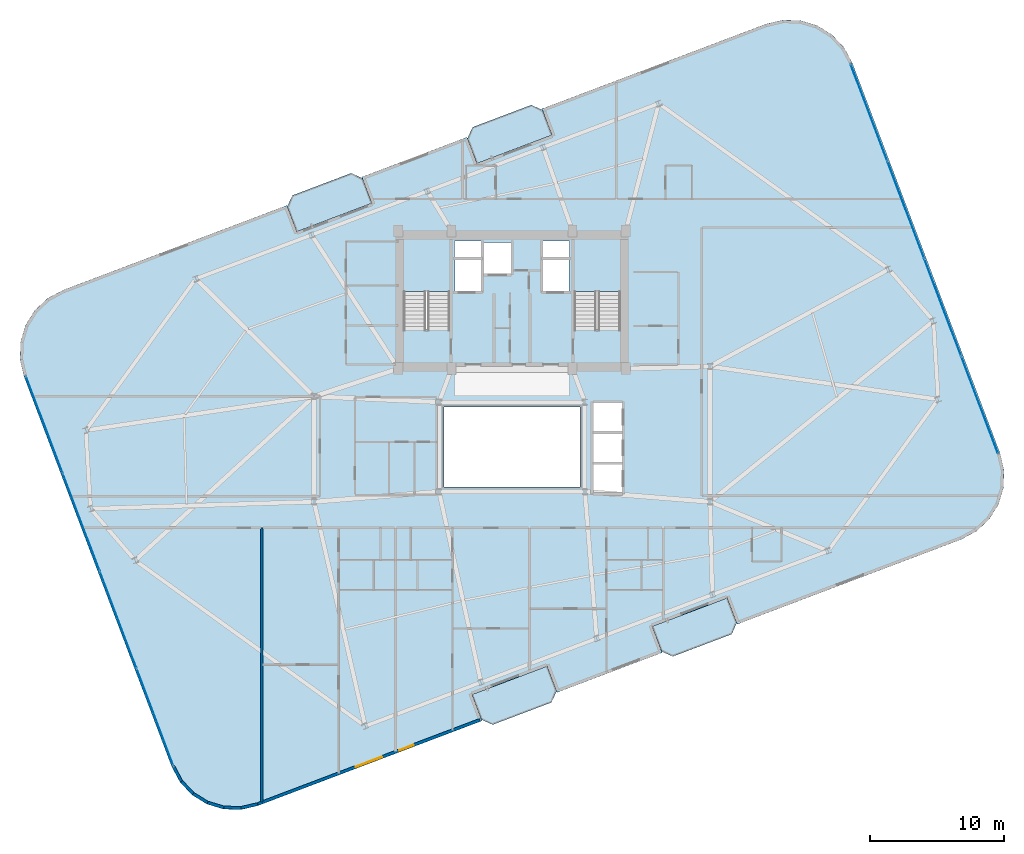
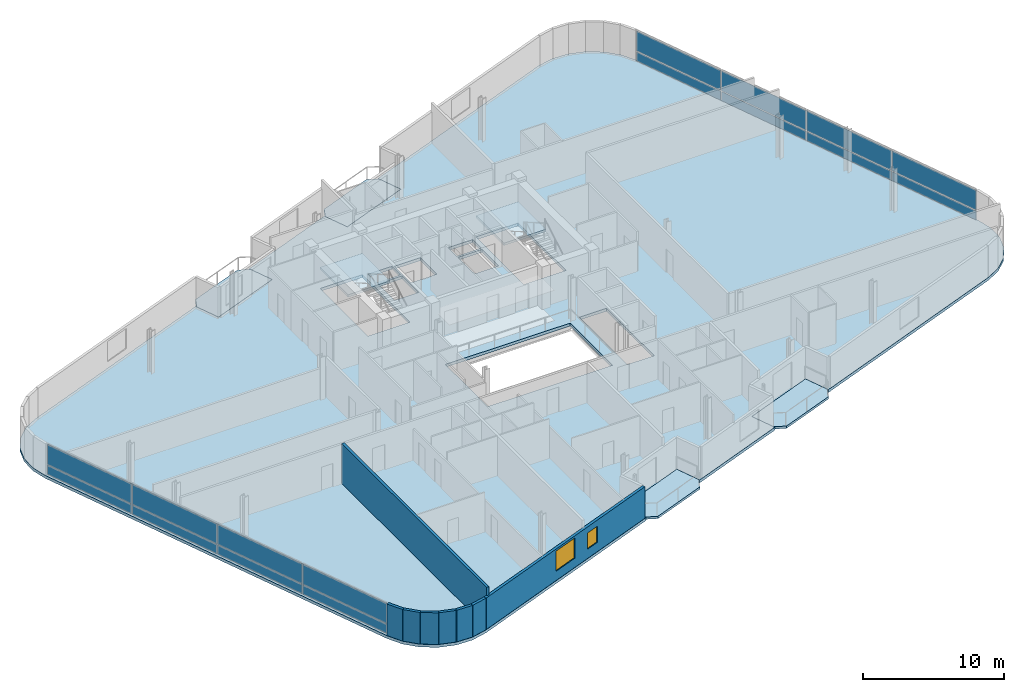
# One storey, part 13 of 20: 16 plates, 8 walls, 7 slabs, 2 windows, 2 openings, 4 elements without a shape of their own.
"""IFC4 building model written with IfcOpenShell, lengths in metres."""

from ifc_helpers import new_model, si_unit, direction, frame, frame_2d, origin, origin_2d, place, context, subcontext, project, spatial, polyline, rectangle, outline, extrude, source, transform, mapped, material, layer, layer_set, type_object, element, fill, aggregate, save


model = new_model("IFC4")

# Units and contexts
model_context = context("Model", 3, precision=1e-05, world=origin(), true_north=direction((0.0, 1.0)))
body_context = subcontext(model_context, "Body", "Model", "MODEL_VIEW")
ifc_project = project(units=[si_unit("LENGTHUNIT", "METRE"), si_unit("AREAUNIT", "SQUARE_METRE"), si_unit("VOLUMEUNIT", "CUBIC_METRE"), si_unit("PLANEANGLEUNIT", "RADIAN"), si_unit("MASSUNIT", "GRAM", prefix="KILO")], contexts=[model_context])

# Site, building, storey
site_placement = place(None, origin())
site = spatial("IfcSite", under=ifc_project, at=site_placement, CompositionType="ELEMENT")
building_placement = place(site_placement, origin())
building = spatial("IfcBuilding", under=site, at=building_placement, Name="Varnelok Gate Tower", CompositionType="ELEMENT")
storey_placement = place(building_placement, frame((0.0, 0.0, 220.10009765625)))
storey = spatial("IfcBuildingStorey", under=building, at=storey_placement, Name="L56", CompositionType="ELEMENT", Elevation=220.10009765625)

# Slabs
ifc_material_1 = material(Name="Concrete C45/55", Category="concrete")
ifc_layer_1 = layer(ifc_material_1, 0.199951171875)
ifc_layer_set_1 = layer_set([ifc_layer_1], Name="Concrete C45/55")
slab_type_1 = type_object("IfcSlabType", Name="SLB-BALC-200", PredefinedType="FLOOR", material=ifc_layer_set_1)
slab_1_placement = place(storey_placement, frame((0.0, 0.0, -0.2001953125)))
element("IfcSlab", 1, at=slab_1_placement, inside=storey, type_object=slab_type_1, Name="L56 South Hollow Balcony 1", PredefinedType="FLOOR", context=body_context, shape_type="SweptSolid", body=[
    extrude(outline(polyline([(36.9189453125, 2.5166015625), (37.757080078125, 2.138916015625), (42.152587890625, 3.802978515625), (42.530517578125, 4.640869140625), (41.822265625, 6.51123046875), (36.2109375, 4.386962890625), (36.9189453125, 2.5166015625)])), origin(), (0.0, 0.0, 1.0), 0.2001953125),
])
slab_2_placement = place(storey_placement, frame((0.0, 0.0, -0.2001953125)))
element("IfcSlab", 2, at=slab_2_placement, inside=storey, type_object=slab_type_1, Name="L56 South Hollow Balcony 2", PredefinedType="FLOOR", context=body_context, shape_type="SweptSolid", body=[
    extrude(outline(polyline([(50.38623046875, 7.614990234375), (51.22412109375, 7.2373046875), (55.619873046875, 8.9013671875), (55.99755859375, 9.739501953125), (55.289306640625, 11.60986328125), (49.677978515625, 9.485595703125), (50.38623046875, 7.614990234375)])), origin(), (0.0, 0.0, 1.0), 0.2001953125),
])
slab_3_placement = place(storey_placement, frame((0.0, 0.0, -0.2001953125)))
element("IfcSlab", 3, at=slab_3_placement, inside=storey, type_object=slab_type_1, Name="L56 North Hollow Balcony 1", PredefinedType="FLOOR", context=body_context, shape_type="SweptSolid", body=[
    extrude(outline(polyline([(23.110595703125, 38.990234375), (28.721923828125, 41.114501953125), (28.013916015625, 42.985107421875), (27.17578125, 43.36279296875), (22.7802734375, 41.698486328125), (22.402587890625, 40.860595703125), (23.110595703125, 38.990234375)])), origin(), (0.0, 0.0, 1.0), 0.2001953125),
])
slab_4_placement = place(storey_placement, frame((0.0, 0.0, -0.2001953125)))
element("IfcSlab", 4, at=slab_4_placement, inside=storey, type_object=slab_type_1, Name="L56 North Hollow Balcony 2", PredefinedType="FLOOR", context=body_context, shape_type="SweptSolid", body=[
    extrude(outline(polyline([(36.577880859375, 44.088623046875), (42.189208984375, 46.212890625), (41.48095703125, 48.08349609375), (40.642822265625, 48.461181640625), (36.247314453125, 46.797119140625), (35.86962890625, 45.958984375), (36.577880859375, 44.088623046875)])), origin(), (0.0, 0.0, 1.0), 0.2001953125),
])

# Stair, slab
ifc_material_2 = material(Name="Concrete C50/60", Category="concrete")
stair_type = type_object("IfcStairType", Name="STR-CORE-1650", PredefinedType="HALF_TURN_STAIR", material=ifc_material_2)
stair_1_placement = place(storey_placement, origin())
stair_1 = element("IfcStair", 5, at=stair_1_placement, inside=storey, type_object=stair_type, Name="L56 Exit Stair ST-1", PredefinedType="HALF_TURN_STAIR")
ifc_layer_2 = layer(ifc_material_1, 0.199951171875)
ifc_layer_set_2 = layer_set([ifc_layer_2], Name="Concrete C45/55")
slab_type_2 = type_object("IfcSlabType", Name="SLB-LAND-200", PredefinedType="LANDING", material=ifc_layer_set_2)
slab_5_placement = place(storey_placement, frame((0.0, 0.0, 1.64990234375)))
slab_5 = element("IfcSlab", 6, at=slab_5_placement, type_object=slab_type_2, Name="ST-1 landing 1", PredefinedType="LANDING", context=body_context, shape_type="SweptSolid", body=[
    extrude(outline(polyline([(34.550048828125, 34.5), (34.550048828125, 38.449951171875), (31.10009765625, 38.449951171875), (31.10009765625, 34.5), (34.550048828125, 34.5)])), origin(), (0.0, 0.0, 1.0), 0.199951171875),
])
aggregate(stair_1, [slab_5])

stair_2_placement = place(storey_placement, origin())
stair_2 = element("IfcStair", 7, at=stair_2_placement, inside=storey, type_object=stair_type, Name="L56 Exit Stair ST-2", PredefinedType="HALF_TURN_STAIR")
slab_6_placement = place(storey_placement, frame((0.0, 0.0, 1.64990234375)))
slab_6 = element("IfcSlab", 8, at=slab_6_placement, type_object=slab_type_2, Name="ST-2 landing 1", PredefinedType="LANDING", context=body_context, shape_type="SweptSolid", body=[
    extrude(outline(polyline([(47.300048828125, 34.5), (47.300048828125, 38.449951171875), (43.85009765625, 38.449951171875), (43.85009765625, 34.5), (47.300048828125, 34.5)])), origin(), (0.0, 0.0, 1.0), 0.199951171875),
])
aggregate(stair_2, [slab_6])

# Slab
ifc_layer_3 = layer(ifc_material_2, 0.25)
ifc_layer_set_3 = layer_set([ifc_layer_3], Name="Concrete C50/60")
slab_type_3 = type_object("IfcSlabType", Name="SLB-TYP-250", PredefinedType="FLOOR", material=ifc_layer_set_3)
slab_7_placement = place(storey_placement, frame((0.0, 0.0, -0.25)))
element("IfcSlab", 9, at=slab_7_placement, inside=storey, type_object=slab_type_3, Name="L56 Structural Floor Slab", PredefinedType="FLOOR", context=body_context, shape_type="SweptSolid", body=[
    extrude(outline(polyline([(13.767578125, -1.0087890625), (14.385009765625, -2.158935546875), (15.279296875, -3.10986328125), (16.388916015625, -3.796875), (17.638671875, -4.17333984375), (18.943359375, -4.213623046875), (20.214111328125, -3.914794921875), (29.8779296875, -0.256103515625), (36.954345703125, 2.423095703125), (36.2109375, 4.386962890625), (41.822265625, 6.51123046875), (42.56591796875, 4.54736328125), (50.421630859375, 7.521484375), (49.677978515625, 9.485595703125), (55.289306640625, 11.60986328125), (56.032958984375, 9.64599609375), (63.109619140625, 12.324951171875), (72.7734375, 15.983642578125), (73.92333984375, 16.60107421875), (74.874267578125, 17.495361328125), (75.561279296875, 18.60498046875), (75.93798828125, 19.854736328125), (75.97802734375, 21.159423828125), (75.67919921875, 22.429931640625), (64.632568359375, 51.60888671875), (64.014892578125, 52.7587890625), (63.120849609375, 53.709716796875), (62.010986328125, 54.39697265625), (60.76123046875, 54.7734375), (59.45654296875, 54.813720703125), (58.18603515625, 54.5146484375), (48.522216796875, 50.856201171875), (41.445556640625, 48.177001953125), (42.189208984375, 46.212890625), (36.577880859375, 44.088623046875), (35.834228515625, 46.052490234375), (27.978515625, 43.07861328125), (28.721923828125, 41.114501953125), (23.110595703125, 38.990234375), (22.3671875, 40.9541015625), (15.29052734375, 38.275146484375), (5.626708984375, 34.616455078125), (4.4765625, 33.998779296875), (3.525634765625, 33.104736328125), (2.838623046875, 31.9951171875), (2.462158203125, 30.7451171875), (2.422119140625, 29.440673828125), (2.720703125, 28.169921875), (13.767578125, -1.0087890625)]), holes=[polyline([(34.550048828125, 31.679931640625), (34.550048828125, 38.449951171875), (31.10009765625, 38.449951171875), (31.10009765625, 31.679931640625), (34.550048828125, 31.679931640625)]), polyline([(47.300048828125, 31.679931640625), (47.300048828125, 38.449951171875), (43.85009765625, 38.449951171875), (43.85009765625, 31.679931640625), (47.300048828125, 31.679931640625)]), polyline([(34.949951171875, 34.550048828125), (36.89990234375, 34.550048828125), (36.89990234375, 36.89990234375), (34.949951171875, 36.89990234375), (34.949951171875, 34.550048828125)]), polyline([(41.5, 34.550048828125), (43.449951171875, 34.550048828125), (43.449951171875, 36.89990234375), (41.5, 36.89990234375), (41.5, 34.550048828125)]), polyline([(37.050048828125, 35.85009765625), (39.14990234375, 35.85009765625), (39.14990234375, 38.199951171875), (37.050048828125, 38.199951171875), (37.050048828125, 35.85009765625)]), polyline([(45.25, 19.449951171875), (47.449951171875, 19.449951171875), (47.449951171875, 26.199951171875), (45.25, 26.199951171875), (45.25, 19.449951171875)]), polyline([(34.919921875, 37.080078125), (36.89990234375, 37.080078125), (36.89990234375, 38.280029296875), (34.919921875, 38.280029296875), (34.919921875, 37.080078125)]), polyline([(41.5, 37.080078125), (43.47998046875, 37.080078125), (43.47998046875, 38.280029296875), (41.5, 38.280029296875), (41.5, 37.080078125)]), polyline([(34.10009765625, 19.89990234375), (44.300048828125, 19.89990234375), (44.300048828125, 25.89990234375), (34.10009765625, 25.89990234375), (34.10009765625, 19.89990234375)])]), origin(), (0.0, 0.0, 1.0), 0.25),
])

# Curtain wall, plates
ifc_material_3 = material(Name="Anodized Aluminum Alloy 6063-T6", Category="aluminium")
ifc_layer_4 = layer(ifc_material_3, 0.179931640625)
ifc_layer_set_4 = layer_set([ifc_layer_4], Name="Anodized Aluminum Alloy 6063-T6")
curtain_wall_type = type_object("IfcCurtainWallType", Name="CW4-RESIDENCE-VISION", PredefinedType="USERDEFINED", material=ifc_layer_set_4)
curtain_wall_1_placement = place(storey_placement, origin())
curtain_wall_1 = element("IfcCurtainWall", 10, at=curtain_wall_1_placement, inside=storey, type_object=curtain_wall_type, Name="L56 West End Vision Curtain Wall", ObjectType="UNITISED CURTAIN WALL", PredefinedType="USERDEFINED")
ifc_material_4 = material(Name="Low-E Laminated Double Glazing IGU", Category="glass")
ifc_layer_5 = layer(ifc_material_4, 0.035888671875)
ifc_layer_set_5 = layer_set([ifc_layer_5], Name="Low-E Laminated Double Glazing IGU")
plate_type = type_object("IfcPlateType", Name="CW-PNL-IGU36", PredefinedType="CURTAIN_PANEL", material=ifc_layer_set_5)
shared_shape_1 = source(origin(), body_context, "Body", "SweptSolid", [
    extrude(rectangle(XDim=7.6875, YDim=0.035888671875, at=origin_2d()), origin(), (0.0, 0.0, 1.0), 0.78759765625),
])
plate_1_placement = place(storey_placement, frame((12.510986328125, 2.70556640625, 0.074951171875), z_axis=(0.0, 0.0, 1.0), x_axis=(-0.354063042079, 0.935221557832, 0.0)))
plate_1 = element("IfcPlate", 11, at=plate_1_placement, type_object=plate_type, Name="CW4 panel 1.1", PredefinedType="CURTAIN_PANEL", context=body_context, shape_type="MappedRepresentation", body=[
    mapped(shared_shape_1, transform((0.0, 0.0, 0.0), scale=1.0)),
])
plate_2_placement = place(storey_placement, frame((4.2392578125, 24.5546875, 0.074951171875), z_axis=(0.0, 0.0, 1.0), x_axis=(-0.354063042079, 0.935221557832, 0.0)))
plate_2 = element("IfcPlate", 12, at=plate_2_placement, type_object=plate_type, Name="CW4 panel 4.1", PredefinedType="CURTAIN_PANEL", context=body_context, shape_type="MappedRepresentation", body=[
    mapped(shared_shape_1, transform((0.0, 0.0, 0.0), scale=1.0)),
])

curtain_wall_2_placement = place(storey_placement, origin())
curtain_wall_2 = element("IfcCurtainWall", 13, at=curtain_wall_2_placement, inside=storey, type_object=curtain_wall_type, Name="L56 East End Vision Curtain Wall", ObjectType="UNITISED CURTAIN WALL", PredefinedType="USERDEFINED")
plate_3_placement = place(storey_placement, frame((65.888916015625, 47.89453125, 0.074951171875), z_axis=(0.0, 0.0, 1.0), x_axis=(0.354063042079, -0.935221557832, 0.0)))
plate_3 = element("IfcPlate", 14, at=plate_3_placement, type_object=plate_type, Name="CW4 panel 1.1", PredefinedType="CURTAIN_PANEL", context=body_context, shape_type="MappedRepresentation", body=[
    mapped(shared_shape_1, transform((0.0, 0.0, 0.0), scale=1.0)),
])
plate_4_placement = place(storey_placement, frame((74.160888671875, 26.04541015625, 0.074951171875), z_axis=(0.0, 0.0, 1.0), x_axis=(0.354063042079, -0.935221557832, 0.0)))
plate_4 = element("IfcPlate", 15, at=plate_4_placement, type_object=plate_type, Name="CW4 panel 4.1", PredefinedType="CURTAIN_PANEL", context=body_context, shape_type="MappedRepresentation", body=[
    mapped(shared_shape_1, transform((0.0, 0.0, 0.0), scale=1.0)),
])

# Plate
shared_shape_2 = source(origin(), body_context, "Body", "SweptSolid", [
    extrude(rectangle(XDim=7.6875, YDim=0.035888671875, at=origin_2d()), origin(), (0.0, 0.0, 1.0), 1.717529296875),
])
plate_5_placement = place(storey_placement, frame((12.510986328125, 2.70556640625, 0.9375), z_axis=(0.0, 0.0, 1.0), x_axis=(-0.354063042079, 0.935221557832, 0.0)))
plate_5 = element("IfcPlate", 16, at=plate_5_placement, type_object=plate_type, Name="CW4 panel 1.2", PredefinedType="CURTAIN_PANEL", context=body_context, shape_type="MappedRepresentation", body=[
    mapped(shared_shape_2, transform((0.0, 0.0, 0.0), scale=1.0)),
])

plate_6_placement = place(storey_placement, frame((4.2392578125, 24.5546875, 0.9375), z_axis=(0.0, 0.0, 1.0), x_axis=(-0.354063042079, 0.935221557832, 0.0)))
plate_6 = element("IfcPlate", 17, at=plate_6_placement, type_object=plate_type, Name="CW4 panel 4.2", PredefinedType="CURTAIN_PANEL", context=body_context, shape_type="MappedRepresentation", body=[
    mapped(shared_shape_2, transform((0.0, 0.0, 0.0), scale=1.0)),
])

plate_7_placement = place(storey_placement, frame((65.888916015625, 47.89453125, 0.9375), z_axis=(0.0, 0.0, 1.0), x_axis=(0.354063042079, -0.935221557832, 0.0)))
plate_7 = element("IfcPlate", 18, at=plate_7_placement, type_object=plate_type, Name="CW4 panel 1.2", PredefinedType="CURTAIN_PANEL", context=body_context, shape_type="MappedRepresentation", body=[
    mapped(shared_shape_2, transform((0.0, 0.0, 0.0), scale=1.0)),
])

plate_8_placement = place(storey_placement, frame((74.160888671875, 26.04541015625, 0.9375), z_axis=(0.0, 0.0, 1.0), x_axis=(0.354063042079, -0.935221557832, 0.0)))
plate_8 = element("IfcPlate", 19, at=plate_8_placement, type_object=plate_type, Name="CW4 panel 4.2", PredefinedType="CURTAIN_PANEL", context=body_context, shape_type="MappedRepresentation", body=[
    mapped(shared_shape_2, transform((0.0, 0.0, 0.0), scale=1.0)),
])

shared_shape_3 = source(origin(), body_context, "Body", "SweptSolid", [
    extrude(rectangle(XDim=7.72509765625, YDim=0.035888671875, at=origin_2d()), origin(), (0.0, 0.0, 1.0), 0.78759765625),
])
plate_9_placement = place(storey_placement, frame((9.755859375, 9.982666015625, 0.074951171875), z_axis=(0.0, 0.0, 1.0), x_axis=(-0.354063042079, 0.935221557832, 0.0)))
plate_9 = element("IfcPlate", 20, at=plate_9_placement, type_object=plate_type, Name="CW4 panel 2.1", PredefinedType="CURTAIN_PANEL", context=body_context, shape_type="MappedRepresentation", body=[
    mapped(shared_shape_3, transform((0.0, 0.0, 0.0), scale=1.0)),
])

plate_10_placement = place(storey_placement, frame((6.994140625, 17.277587890625, 0.074951171875), z_axis=(0.0, 0.0, 1.0), x_axis=(-0.354063042079, 0.935221557832, 0.0)))
plate_10 = element("IfcPlate", 21, at=plate_10_placement, type_object=plate_type, Name="CW4 panel 3.1", PredefinedType="CURTAIN_PANEL", context=body_context, shape_type="MappedRepresentation", body=[
    mapped(shared_shape_3, transform((0.0, 0.0, 0.0), scale=1.0)),
])

plate_11_placement = place(storey_placement, frame((68.64404296875, 40.6171875, 0.074951171875), z_axis=(0.0, 0.0, 1.0), x_axis=(0.354063042079, -0.935221557832, 0.0)))
plate_11 = element("IfcPlate", 22, at=plate_11_placement, type_object=plate_type, Name="CW4 panel 2.1", PredefinedType="CURTAIN_PANEL", context=body_context, shape_type="MappedRepresentation", body=[
    mapped(shared_shape_3, transform((0.0, 0.0, 0.0), scale=1.0)),
])

plate_12_placement = place(storey_placement, frame((71.40576171875, 33.322509765625, 0.074951171875), z_axis=(0.0, 0.0, 1.0), x_axis=(0.354063042079, -0.935221557832, 0.0)))
plate_12 = element("IfcPlate", 23, at=plate_12_placement, type_object=plate_type, Name="CW4 panel 3.1", PredefinedType="CURTAIN_PANEL", context=body_context, shape_type="MappedRepresentation", body=[
    mapped(shared_shape_3, transform((0.0, 0.0, 0.0), scale=1.0)),
])

shared_shape_4 = source(origin(), body_context, "Body", "SweptSolid", [
    extrude(rectangle(XDim=7.72509765625, YDim=0.035888671875, at=origin_2d()), origin(), (0.0, 0.0, 1.0), 1.717529296875),
])
plate_13_placement = place(storey_placement, frame((9.755859375, 9.982666015625, 0.9375), z_axis=(0.0, 0.0, 1.0), x_axis=(-0.354063042079, 0.935221557832, 0.0)))
plate_13 = element("IfcPlate", 24, at=plate_13_placement, type_object=plate_type, Name="CW4 panel 2.2", PredefinedType="CURTAIN_PANEL", context=body_context, shape_type="MappedRepresentation", body=[
    mapped(shared_shape_4, transform((0.0, 0.0, 0.0), scale=1.0)),
])

plate_14_placement = place(storey_placement, frame((6.994140625, 17.277587890625, 0.9375), z_axis=(0.0, 0.0, 1.0), x_axis=(-0.354063042079, 0.935221557832, 0.0)))
plate_14 = element("IfcPlate", 25, at=plate_14_placement, type_object=plate_type, Name="CW4 panel 3.2", PredefinedType="CURTAIN_PANEL", context=body_context, shape_type="MappedRepresentation", body=[
    mapped(shared_shape_4, transform((0.0, 0.0, 0.0), scale=1.0)),
])

aggregate(curtain_wall_1, [plate_1, plate_5, plate_9, plate_13, plate_10, plate_14, plate_2, plate_6])

plate_15_placement = place(storey_placement, frame((68.64404296875, 40.6171875, 0.9375), z_axis=(0.0, 0.0, 1.0), x_axis=(0.354063042079, -0.935221557832, 0.0)))
plate_15 = element("IfcPlate", 26, at=plate_15_placement, type_object=plate_type, Name="CW4 panel 2.2", PredefinedType="CURTAIN_PANEL", context=body_context, shape_type="MappedRepresentation", body=[
    mapped(shared_shape_4, transform((0.0, 0.0, 0.0), scale=1.0)),
])

plate_16_placement = place(storey_placement, frame((71.40576171875, 33.322509765625, 0.9375), z_axis=(0.0, 0.0, 1.0), x_axis=(0.354063042079, -0.935221557832, 0.0)))
plate_16 = element("IfcPlate", 27, at=plate_16_placement, type_object=plate_type, Name="CW4 panel 3.2", PredefinedType="CURTAIN_PANEL", context=body_context, shape_type="MappedRepresentation", body=[
    mapped(shared_shape_4, transform((0.0, 0.0, 0.0), scale=1.0)),
])

aggregate(curtain_wall_2, [plate_3, plate_7, plate_11, plate_15, plate_12, plate_16, plate_4, plate_8])

# Walls
ifc_layer_6 = layer(ifc_material_1, 0.219970703125)
ifc_layer_set_6 = layer_set([ifc_layer_6], Name="Concrete C45/55")
wall_type_1 = type_object("IfcWallType", Name="EW-BALC-220", PredefinedType="SOLIDWALL", material=ifc_layer_set_6)
wall_1_placement = place(storey_placement, frame((13.880615234375, -0.966064453125, 0.0), z_axis=(0.0, 0.0, 1.0), x_axis=(0.473242342135, -0.88093228208, 0.0)))
element("IfcWall", 28, at=wall_1_placement, inside=storey, type_object=wall_type_1, Name="L56 Perimeter Facade Closure Wall 1", PredefinedType="SOLIDWALL", context=body_context, shape_type="SweptSolid", body=[
    extrude(rectangle(XDim=1.273681640625, YDim=0.219970703125, at=frame_2d((0.63671875, 0.0))), origin(), (0.0, 0.0, 1.0), 2.72998046875),
])
for number, where, z_axis, x_axis, name in (
    (29, (14.50048828125, -2.1064453125, 0.0), (0.0, 0.0, 1.0), (0.684968140504, -0.728573020702, 0.0), "L56 Perimeter Facade Closure Wall 2"),
    (30, (15.377197265625, -3.029296875, 0.0), (0.0, 0.0, 1.0), (0.850231806078, -0.526408468713, 0.0), "L56 Perimeter Facade Closure Wall 3"),
    (31, (16.462646484375, -3.69384765625, 0.0), (0.0, 0.0, 1.0), (0.957508189204, -0.288406081086, 0.0), "L56 Perimeter Facade Closure Wall 4"),
):
    element("IfcWall", number, at=place(storey_placement, frame(where, z_axis=z_axis, x_axis=x_axis)), inside=storey, type_object=wall_type_1, Name=name, PredefinedType="SOLIDWALL", context=body_context, shape_type="SweptSolid", body=[
        extrude(rectangle(XDim=1.24853515625, YDim=0.219970703125, at=frame_2d((0.624267578125, 0.0))), origin(), (0.0, 0.0, 1.0), 2.72998046875),
    ])
wall_2_placement = place(storey_placement, frame((17.68310546875, -4.0546875, 0.0), z_axis=(0.0, 0.0, 1.0), x_axis=(0.999522886512, -0.030886879732, 0.0)))
element("IfcWall", 32, at=wall_2_placement, inside=storey, type_object=wall_type_1, Name="L56 Perimeter Facade Closure Wall 5", PredefinedType="SOLIDWALL", context=body_context, shape_type="SweptSolid", body=[
    extrude(rectangle(XDim=1.248779296875, YDim=0.219970703125, at=frame_2d((0.62451171875, 0.0))), origin(), (0.0, 0.0, 1.0), 2.72998046875),
])
wall_3_placement = place(storey_placement, frame((18.95556640625, -4.08740234375, 0.0), z_axis=(0.0, 0.0, 1.0), x_axis=(0.973463008152, 0.228844426981, 0.0)))
element("IfcWall", 33, at=wall_3_placement, inside=storey, type_object=wall_type_1, Name="L56 Perimeter Facade Closure Wall 6", PredefinedType="SOLIDWALL", context=body_context, shape_type="SweptSolid", body=[
    extrude(rectangle(XDim=1.2568359375, YDim=0.219970703125, at=frame_2d((0.62841796875, 0.0))), origin(), (0.0, 0.0, 1.0), 2.72998046875),
])

# Wall, openings, windows
wall_4_placement = place(storey_placement, frame((20.2021484375, -3.790771484375, 0.0), z_axis=(0.0, 0.0, 1.0), x_axis=(0.935225574232, 0.354052432984, 0.0)))
wall_4 = element("IfcWall", 34, at=wall_4_placement, inside=storey, type_object=wall_type_1, Name="L56 Perimeter Facade Closure Wall 7", PredefinedType="SOLIDWALL", context=body_context, shape_type="SweptSolid", body=[
    extrude(rectangle(XDim=17.747314453125, YDim=0.219970703125, at=frame_2d((8.87353515625, 0.0))), origin(), (0.0, 0.0, 1.0), 2.72998046875),
])
opening_1_placement = place(wall_4_placement, frame((7.823486328125, 0.0, 0.800048828125)))
opening_1 = element("IfcOpeningElement", 35, at=opening_1_placement, cuts=wall_4, Name="Opening WN4", PredefinedType="OPENING", context=body_context, shape_type="SweptSolid", body=[
    extrude(rectangle(XDim=2.10009765625, YDim=1.75, at=frame_2d((1.050048828125, 0.875))), frame((0.0, 0.119873046875, 0.0), z_axis=(0.0, -1.0, 0.0), x_axis=(1.0, 0.0, 0.0)), (0.0, 0.0, 1.0), 0.239990234375),
])
opening_2_placement = place(wall_4_placement, frame((11.298095703125, 0.0, 0.800048828125)))
opening_2 = element("IfcOpeningElement", 36, at=opening_2_placement, cuts=wall_4, Name="Opening WN8", PredefinedType="OPENING", context=body_context, shape_type="SweptSolid", body=[
    extrude(rectangle(XDim=1.14990234375, YDim=1.39990234375, at=frame_2d((0.574951171875, 0.699951171875))), frame((0.0, 0.119873046875, 0.0), z_axis=(0.0, -1.0, 0.0), x_axis=(1.0, 0.0, 0.0)), (0.0, 0.0, 1.0), 0.239990234375),
])
window_type_1 = type_object("IfcWindowType", Name="WN-BED-1150", PartitioningType="SINGLE_PANEL", PredefinedType="WINDOW", material=ifc_material_4)
window_1_placement = place(opening_2_placement, origin())
window_1 = element("IfcWindow", 37, at=window_1_placement, inside=storey, type_object=window_type_1, Name="L56 Bedroom Vision Window 39", OverallHeight=1.39990234375, OverallWidth=1.14990234375, PartitioningType="SINGLE_PANEL", PredefinedType="WINDOW", context=body_context, shape_type="SweptSolid", body=[
    extrude(rectangle(XDim=1.14990234375, YDim=1.39990234375, at=frame_2d((0.574951171875, 0.699951171875))), frame((0.0, 0.030029296875, 0.0), z_axis=(0.0, -1.0, 0.0), x_axis=(1.0, 0.0, 0.0)), (0.0, 0.0, 1.0), 0.06005859375),
])
fill(opening_2, window_1)
window_type_2 = type_object("IfcWindowType", Name="WN-SUI-2100", PartitioningType="SINGLE_PANEL", PredefinedType="WINDOW", material=ifc_material_4)
window_2_placement = place(opening_1_placement, origin())
window_2 = element("IfcWindow", 38, at=window_2_placement, inside=storey, type_object=window_type_2, Name="L56 Perimeter Vision Window 7", OverallHeight=1.75, OverallWidth=2.10009765625, PartitioningType="SINGLE_PANEL", PredefinedType="WINDOW", context=body_context, shape_type="SweptSolid", body=[
    extrude(rectangle(XDim=2.10009765625, YDim=1.75, at=frame_2d((1.050048828125, 0.875))), frame((0.0, 0.030029296875, 0.0), z_axis=(0.0, -1.0, 0.0), x_axis=(1.0, 0.0, 0.0)), (0.0, 0.0, 1.0), 0.06005859375),
])
fill(opening_1, window_2)

# Wall
ifc_material_5 = material(Name="Gypsum Plasterboard Acoustic Partition", Category="gypsum")
ifc_layer_7 = layer(ifc_material_5, 0.205078125)
ifc_layer_set_7 = layer_set([ifc_layer_7], Name="Gypsum Plasterboard Acoustic Partition")
wall_type_2 = type_object("IfcWallType", Name="PW-PARTY-200", PredefinedType="PARTITIONING", material=ifc_layer_set_7)
wall_5_placement = place(storey_placement, frame((20.5, -3.65673828125, 0.0), z_axis=(0.0, 0.0, 1.0), x_axis=(0.0, 1.0, 0.0)))
element("IfcWall", 39, at=wall_5_placement, inside=storey, type_object=wall_type_2, Name="L56 South Party Wall 1", PredefinedType="PARTITIONING", context=body_context, shape_type="SweptSolid", body=[
    extrude(rectangle(XDim=20.5068359375, YDim=0.205078125, at=frame_2d((10.25341796875, 0.0))), origin(), (0.0, 0.0, 1.0), 3.449951171875),
])

save(model, "model.ifc")
